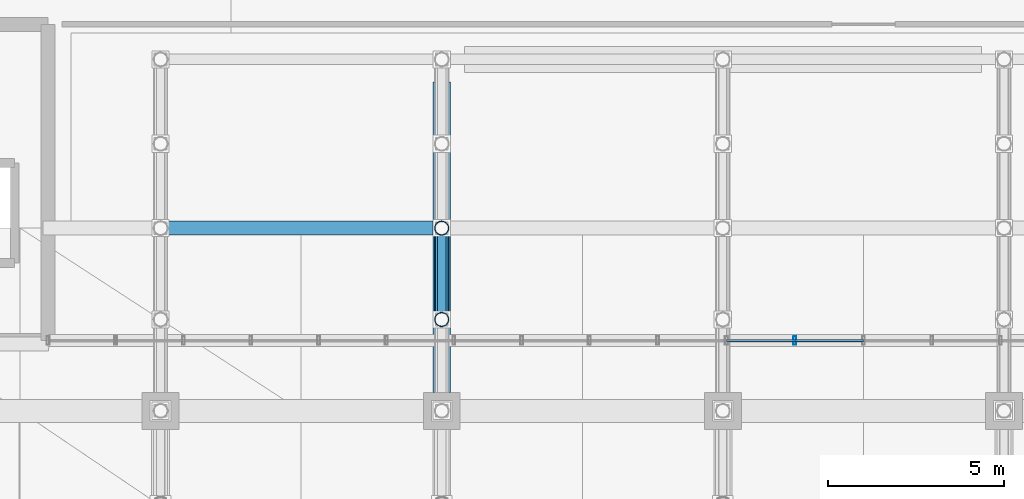
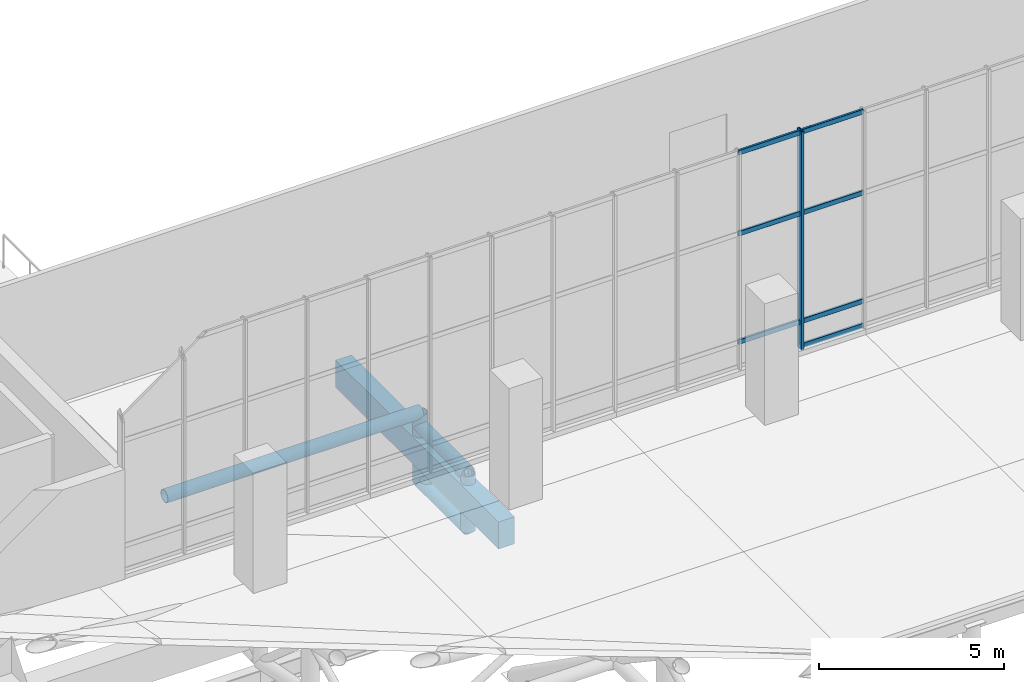
# One storey, part 27 of 137: 14 members, 1 beam, 1 element without a shape of its own.
"""IFC4 building model written with IfcOpenShell, lengths in metres."""

from ifc_helpers import new_model, si_unit, direction, frame, origin, origin_2d, place, context, subcontext, project, spatial, rectangle, hollow_rectangle, hollow_circle, extrude, material, layer, layer_set, material_profile, profile_set, type_object, element, aggregate, save


model = new_model("IFC4")

# Units and contexts
model_context = context("Model", 3, precision=1e-05, world=origin(), true_north=direction((0.0, 1.0)))
body_context = subcontext(model_context, "Body", "Model", "MODEL_VIEW")
ifc_project = project(units=[si_unit("LENGTHUNIT", "METRE"), si_unit("AREAUNIT", "SQUARE_METRE"), si_unit("VOLUMEUNIT", "CUBIC_METRE"), si_unit("PLANEANGLEUNIT", "RADIAN"), si_unit("MASSUNIT", "GRAM", prefix="KILO")], contexts=[model_context])

# Site, building, storey
site_placement = place(None, origin())
site = spatial("IfcSite", under=ifc_project, at=site_placement, CompositionType="ELEMENT")
building_placement = place(site_placement, origin())
building = spatial("IfcBuilding", under=site, at=building_placement, Name="Khorjan Park Terminus", CompositionType="ELEMENT")
storey_placement = place(building_placement, frame((0.0, 0.0, 11.4)))
storey = spatial("IfcBuildingStorey", under=building, at=storey_placement, Name="L02", CompositionType="ELEMENT", Elevation=11.4)

# Beam
ifc_material_1 = material(Name="Concrete C40/50", Category="concrete")
ifc_material_profile_1 = material_profile(ifc_material_1, rectangle(XDim=0.5, YDim=0.9, at=origin_2d()), Name="RC 500x900")
ifc_profile_set_1 = profile_set([ifc_material_profile_1], Name="Concrete C40/50")
beam_type = type_object("IfcBeamType", Name="BM-RC500x900", PredefinedType="BEAM", material=ifc_profile_set_1)
beam_placement = place(storey_placement, frame((80.0, 26.52, -0.79), z_axis=(0.0, 1.0, 0.0), x_axis=(-1.0, 0.0, 0.0)))
element("IfcBeam", 1, at=beam_placement, inside=storey, type_object=beam_type, Name="Primary floor girder GB-09 (L02)", PredefinedType="BEAM", context=body_context, shape_type="SweptSolid", body=[
    extrude(rectangle(XDim=0.5, YDim=0.9, at=origin_2d()), origin(), (0.0, 0.0, 1.0), 8.835),
])

# Members
ifc_material_2 = material(Name="Steel S355", Category="steel")
ifc_material_profile_2 = material_profile(ifc_material_2, hollow_circle(Radius=0.1222, WallThickness=0.0125, at=origin_2d()), Name="CHS 244.5x12.5")
ifc_profile_set_2 = profile_set([ifc_material_profile_2], Name="Steel S355")
member_type_1 = type_object("IfcMemberType", Name="MB-BR-245", PredefinedType="BRACE", material=ifc_profile_set_2)
member_1_placement = place(storey_placement, frame((80.0, 28.6, -0.05), z_axis=(0.0, 0.811830357573, -0.583893372562), x_axis=(-1.0, 0.0, 0.0)))
element("IfcMember", 2, at=member_1_placement, inside=storey, type_object=member_type_1, Name="Lower shell cantilever truss diagonal (5S)", PredefinedType="BRACE", context=body_context, shape_type="SweptSolid", body=[
    extrude(hollow_circle(Radius=0.1222, WallThickness=0.0125, at=origin_2d()), origin(), (0.0, 0.0, 1.0), 3.2026),
])
ifc_material_profile_3 = material_profile(ifc_material_2, hollow_circle(Radius=0.1778, WallThickness=0.016, at=origin_2d()), Name="CHS 355.6x16")
ifc_profile_set_3 = profile_set([ifc_material_profile_3], Name="Steel S355")
member_type_2 = type_object("IfcMemberType", Name="MB-CH-356", PredefinedType="CHORD", material=ifc_profile_set_3)
member_2_placement = place(storey_placement, frame((80.0, 28.6, -1.92), z_axis=(0.0, 1.0, 0.0), x_axis=(-1.0, 0.0, 0.0)))
element("IfcMember", 3, at=member_2_placement, inside=storey, type_object=member_type_2, Name="Lower shell cantilever truss bottom chord (5S)", PredefinedType="CHORD", context=body_context, shape_type="SweptSolid", body=[
    extrude(hollow_circle(Radius=0.1778, WallThickness=0.016, at=origin_2d()), origin(), (0.0, 0.0, 1.0), 2.6),
])
ifc_material_profile_4 = material_profile(ifc_material_2, hollow_circle(Radius=0.2032, WallThickness=0.016, at=origin_2d()), Name="CHS 406.4x16")
ifc_profile_set_4 = profile_set([ifc_material_profile_4], Name="Steel S355")
member_type_3 = type_object("IfcMemberType", Name="MB-CH-406", PredefinedType="CHORD", material=ifc_profile_set_4)
member_3_placement = place(storey_placement, frame((72.0, 31.2, 0.392), z_axis=(1.0, 0.0, 0.0), x_axis=(0.0, 1.0, 0.0)))
element("IfcMember", 4, at=member_3_placement, inside=storey, type_object=member_type_3, Name="Lower wrapping shell rim chord (78)", PredefinedType="CHORD", context=body_context, shape_type="SweptSolid", body=[
    extrude(hollow_circle(Radius=0.2032, WallThickness=0.016, at=origin_2d()), origin(), (0.0, 0.0, 1.0), 8.0),
])
member_4_placement = place(storey_placement, frame((80.0, 28.6, -0.05), z_axis=(0.0, 1.0, 0.0), x_axis=(-1.0, 0.0, 0.0)))
element("IfcMember", 5, at=member_4_placement, inside=storey, type_object=member_type_3, Name="Lower shell cantilever truss top chord (5S)", PredefinedType="CHORD", context=body_context, shape_type="SweptSolid", body=[
    extrude(hollow_circle(Radius=0.2032, WallThickness=0.016, at=origin_2d()), origin(), (0.0, 0.0, 1.0), 2.6),
])
ifc_material_profile_5 = material_profile(ifc_material_2, hollow_circle(Radius=0.2032, WallThickness=0.016, at=origin_2d()), Name="CHS 406.4x16")
ifc_profile_set_5 = profile_set([ifc_material_profile_5], Name="Steel S355")
member_type_4 = type_object("IfcMemberType", Name="MB-ST-406", PredefinedType="STRUT", material=ifc_profile_set_5)
member_5_placement = place(storey_placement, frame((80.0, 28.6, -1.92), z_axis=(0.0, 0.0, 1.0), x_axis=(1.0, 0.0, 0.0)))
element("IfcMember", 6, at=member_5_placement, inside=storey, type_object=member_type_4, Name="Lower shell cantilever truss post (5S)", PredefinedType="STRUT", context=body_context, shape_type="SweptSolid", body=[
    extrude(hollow_circle(Radius=0.2032, WallThickness=0.016, at=origin_2d()), origin(), (0.0, 0.0, 1.0), 1.87),
])
member_6_placement = place(storey_placement, frame((80.0, 31.2, -1.92), z_axis=(0.0, 0.0, 1.0), x_axis=(1.0, 0.0, 0.0)))
element("IfcMember", 7, at=member_6_placement, inside=storey, type_object=member_type_4, Name="Lower shell cantilever truss post (5S)", PredefinedType="STRUT", context=body_context, shape_type="SweptSolid", body=[
    extrude(hollow_circle(Radius=0.2032, WallThickness=0.016, at=origin_2d()), origin(), (0.0, 0.0, 1.0), 2.312),
])

# Curtain wall, members
ifc_material_3 = material(Name="Anodized Bronze Aluminium", Category="aluminium")
ifc_layer = layer(ifc_material_3, 0.22)
ifc_layer_set = layer_set([ifc_layer], Name="Anodized Bronze Aluminium")
curtain_wall_type = type_object("IfcCurtainWallType", Name="CW-CONC-CLR", PredefinedType="NOTDEFINED", material=ifc_layer_set)
curtain_wall_placement = place(storey_placement, origin())
curtain_wall = element("IfcCurtainWall", 8, at=curtain_wall_placement, inside=storey, type_object=curtain_wall_type, Name="Unitized curtain wall CW-CL (CW-V2-S-CLR-04)", PredefinedType="NOTDEFINED")
ifc_material_profile_6 = material_profile(ifc_material_3, hollow_rectangle(XDim=0.08, YDim=0.25, WallThickness=0.005, InnerFilletRadius=0.005, OuterFilletRadius=0.01, at=origin_2d()), Name="ALM 80x250x5")
ifc_profile_set_6 = profile_set([ifc_material_profile_6], Name="Anodized Bronze Aluminium")
member_type_5 = type_object("IfcMemberType", Name="ML-ALM-250", PredefinedType="MULLION", material=ifc_profile_set_6)
member_7_placement = place(storey_placement, frame((90.05, 28.0, 0.915), z_axis=(0.0, 0.0, 1.0), x_axis=(1.0, 0.0, 0.0)))
member_7 = element("IfcMember", 9, at=member_7_placement, type_object=member_type_5, Name="Curtain-wall mullion ML-25 (CW-V2-S-CLR-04-3)", PredefinedType="MULLION", context=body_context, shape_type="SweptSolid", body=[
    extrude(hollow_rectangle(XDim=0.08, YDim=0.25, WallThickness=0.005, InnerFilletRadius=0.005, OuterFilletRadius=0.01, at=origin_2d()), origin(), (0.0, 0.0, 1.0), 7.2215),
])
ifc_material_profile_7 = material_profile(ifc_material_3, hollow_rectangle(XDim=0.07, YDim=0.16, WallThickness=0.004, InnerFilletRadius=0.004, OuterFilletRadius=0.008, at=origin_2d()), Name="ALT 70x160x4")
ifc_profile_set_7 = profile_set([ifc_material_profile_7], Name="Anodized Bronze Aluminium")
member_type_6 = type_object("IfcMemberType", Name="TR-ALT-160", PredefinedType="USERDEFINED", material=ifc_profile_set_7)
member_8_placement = place(storey_placement, frame((88.1, 28.0, 1.8), z_axis=(1.0, 0.0, 0.0), x_axis=(0.0, 1.0, 0.0)))
member_8 = element("IfcMember", 10, at=member_8_placement, type_object=member_type_6, Name="Curtain-wall transom TR-16 (CW-V2-S-CLR-04-2-2)", ObjectType="TRANSOM", PredefinedType="USERDEFINED", context=body_context, shape_type="SweptSolid", body=[
    extrude(hollow_rectangle(XDim=0.07, YDim=0.16, WallThickness=0.004, InnerFilletRadius=0.004, OuterFilletRadius=0.008, at=origin_2d()), origin(), (0.0, 0.0, 1.0), 1.95),
])
member_9_placement = place(storey_placement, frame((88.1, 28.0, 5.3839), z_axis=(1.0, 0.0, 0.0), x_axis=(0.0, 1.0, 0.0)))
member_9 = element("IfcMember", 11, at=member_9_placement, type_object=member_type_6, Name="Curtain-wall transom TR-16 (CW-V2-S-CLR-04-2-3)", ObjectType="TRANSOM", PredefinedType="USERDEFINED", context=body_context, shape_type="SweptSolid", body=[
    extrude(hollow_rectangle(XDim=0.07, YDim=0.16, WallThickness=0.004, InnerFilletRadius=0.004, OuterFilletRadius=0.008, at=origin_2d()), origin(), (0.0, 0.0, 1.0), 1.95),
])
member_10_placement = place(storey_placement, frame((88.1, 28.0, 8.0615), z_axis=(1.0, 0.0, 0.0), x_axis=(0.0, 1.0, 0.0)))
member_10 = element("IfcMember", 12, at=member_10_placement, type_object=member_type_6, Name="Curtain-wall transom TR-16 (CW-V2-S-CLR-04-2-4)", ObjectType="TRANSOM", PredefinedType="USERDEFINED", context=body_context, shape_type="SweptSolid", body=[
    extrude(hollow_rectangle(XDim=0.07, YDim=0.16, WallThickness=0.004, InnerFilletRadius=0.004, OuterFilletRadius=0.008, at=origin_2d()), origin(), (0.0, 0.0, 1.0), 1.95),
])
member_11_placement = place(storey_placement, frame((90.05, 28.0, 0.99), z_axis=(1.0, 0.0, 0.0), x_axis=(0.0, 1.0, 0.0)))
member_11 = element("IfcMember", 13, at=member_11_placement, type_object=member_type_6, Name="Curtain-wall transom TR-16 (CW-V2-S-CLR-04-3-1)", ObjectType="TRANSOM", PredefinedType="USERDEFINED", context=body_context, shape_type="SweptSolid", body=[
    extrude(hollow_rectangle(XDim=0.07, YDim=0.16, WallThickness=0.004, InnerFilletRadius=0.004, OuterFilletRadius=0.008, at=origin_2d()), origin(), (0.0, 0.0, 1.0), 1.95),
])
member_12_placement = place(storey_placement, frame((90.05, 28.0, 1.8), z_axis=(1.0, 0.0, 0.0), x_axis=(0.0, 1.0, 0.0)))
member_12 = element("IfcMember", 14, at=member_12_placement, type_object=member_type_6, Name="Curtain-wall transom TR-16 (CW-V2-S-CLR-04-3-2)", ObjectType="TRANSOM", PredefinedType="USERDEFINED", context=body_context, shape_type="SweptSolid", body=[
    extrude(hollow_rectangle(XDim=0.07, YDim=0.16, WallThickness=0.004, InnerFilletRadius=0.004, OuterFilletRadius=0.008, at=origin_2d()), origin(), (0.0, 0.0, 1.0), 1.95),
])
member_13_placement = place(storey_placement, frame((90.05, 28.0, 5.3839), z_axis=(1.0, 0.0, 0.0), x_axis=(0.0, 1.0, 0.0)))
member_13 = element("IfcMember", 15, at=member_13_placement, type_object=member_type_6, Name="Curtain-wall transom TR-16 (CW-V2-S-CLR-04-3-3)", ObjectType="TRANSOM", PredefinedType="USERDEFINED", context=body_context, shape_type="SweptSolid", body=[
    extrude(hollow_rectangle(XDim=0.07, YDim=0.16, WallThickness=0.004, InnerFilletRadius=0.004, OuterFilletRadius=0.008, at=origin_2d()), origin(), (0.0, 0.0, 1.0), 1.95),
])
member_14_placement = place(storey_placement, frame((90.05, 28.0, 8.0615), z_axis=(1.0, 0.0, 0.0), x_axis=(0.0, 1.0, 0.0)))
member_14 = element("IfcMember", 16, at=member_14_placement, type_object=member_type_6, Name="Curtain-wall transom TR-16 (CW-V2-S-CLR-04-3-4)", ObjectType="TRANSOM", PredefinedType="USERDEFINED", context=body_context, shape_type="SweptSolid", body=[
    extrude(hollow_rectangle(XDim=0.07, YDim=0.16, WallThickness=0.004, InnerFilletRadius=0.004, OuterFilletRadius=0.008, at=origin_2d()), origin(), (0.0, 0.0, 1.0), 1.95),
])
aggregate(curtain_wall, [member_7, member_8, member_9, member_10, member_11, member_12, member_13, member_14])

save(model, "model.ifc")
